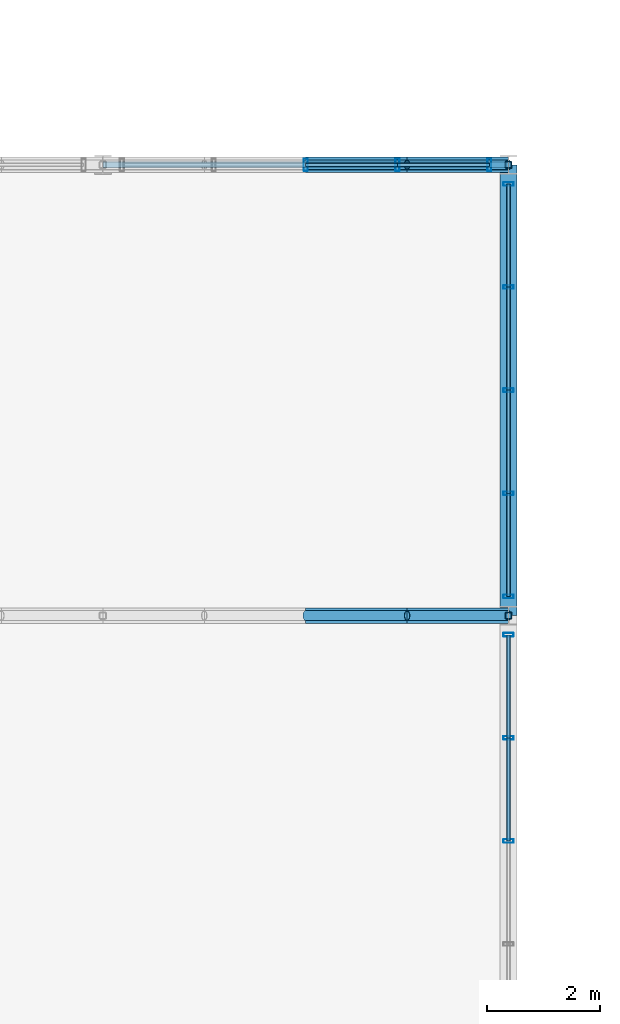
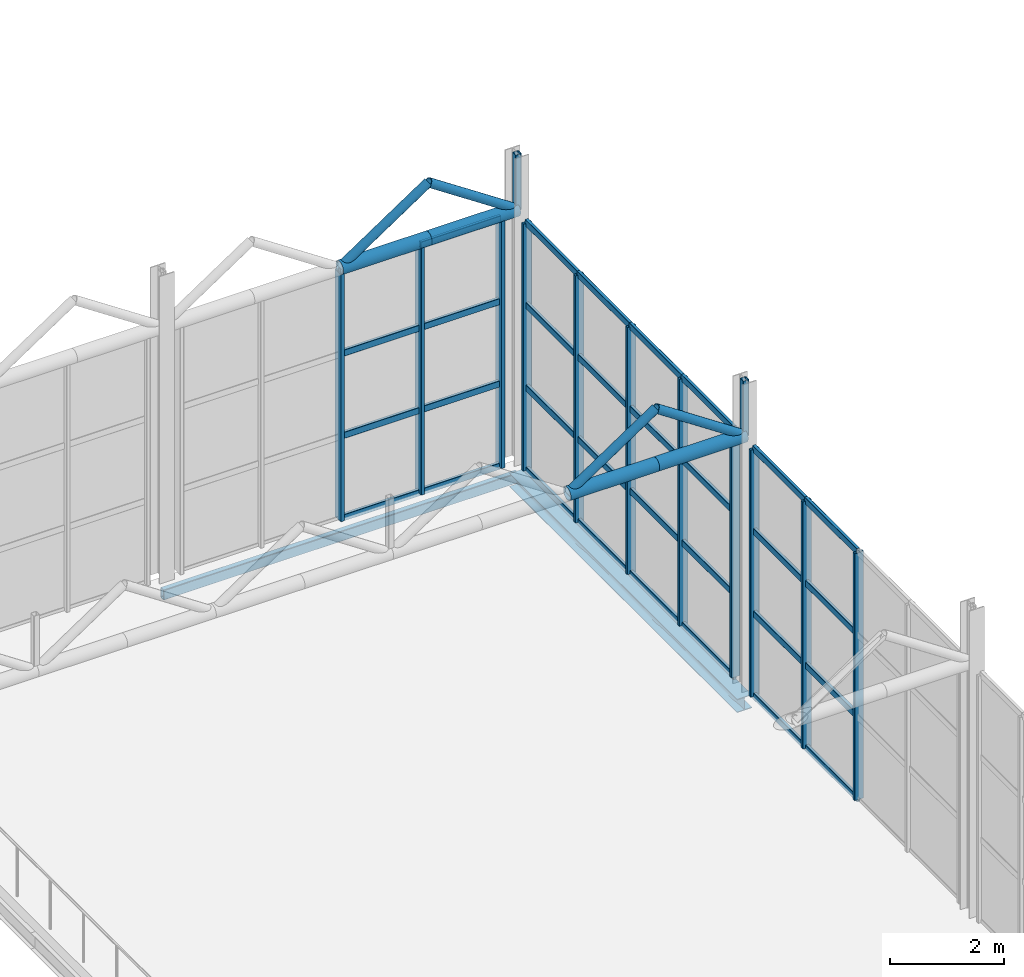
# One storey, part 99 of 153: 53 members, 2 beams, 3 elements without a shape of their own.
"""IFC4 building model written with IfcOpenShell, lengths in metres."""

from ifc_helpers import new_model, si_unit, derived_unit, direction, frame, origin, origin_2d, place, context, subcontext, project, spatial, hollow_rectangle, hollow_circle, i_section, extrude, material, material_profile, profile_set, type_object, element, aggregate, save


model = new_model("IFC4")

# Units and contexts
model_context = context("Model", 3, precision=1e-05, world=origin(), true_north=direction((0.0, 1.0)))
body_context = subcontext(model_context, "Body", "Model", "MODEL_VIEW")
ifc_project = project(units=[si_unit("LENGTHUNIT", "METRE"), si_unit("AREAUNIT", "SQUARE_METRE"), si_unit("VOLUMEUNIT", "CUBIC_METRE"), si_unit("PLANEANGLEUNIT", "RADIAN"), si_unit("MASSUNIT", "GRAM", prefix="KILO"), derived_unit("THERMALTRANSMITTANCEUNIT", [(si_unit("POWERUNIT", "WATT"), 1), (si_unit("LENGTHUNIT", "METRE"), -2), (si_unit("THERMODYNAMICTEMPERATUREUNIT", "KELVIN"), -1)])], contexts=[model_context])

# Site, building, storey
site_placement = place(None, origin())
site = spatial("IfcSite", under=ifc_project, at=site_placement, CompositionType="ELEMENT")
building_placement = place(site_placement, origin())
building = spatial("IfcBuilding", under=site, at=building_placement, Name="Keldorne Ridge Multi-Sports Centre", CompositionType="ELEMENT")
storey_placement = place(building_placement, frame((0.0, 0.0, 9.60009765625)))
storey = spatial("IfcBuildingStorey", under=building, at=storey_placement, Name="L02", CompositionType="ELEMENT", Elevation=9.60009765625)

# Beams
ifc_material_1 = material(Name="Steel S355", Category="steel")
ifc_material_profile_1 = material_profile(ifc_material_1, i_section(OverallWidth=0.300048828125, OverallDepth=0.2900390625, WebThickness=0.008544921875, FlangeThickness=0.013916015625, FilletRadius=0.027099609375, at=origin_2d()), Name="HEA 300")
ifc_profile_set_1 = profile_set([ifc_material_profile_1], Name="Steel S355")
beam_type_1 = type_object("IfcBeamType", Name="BM-SP-04", PredefinedType="SPANDREL", material=ifc_profile_set_1)
beam_1_placement = place(storey_placement, frame((42.0, 106.0, -0.39013671875), z_axis=(0.0, 1.0, 0.0), x_axis=(-1.0, 0.0, 0.0)))
element("IfcBeam", 1, at=beam_1_placement, inside=storey, type_object=beam_type_1, Name="Climbing east spandrel L02.5", PredefinedType="SPANDREL", context=body_context, shape_type="SweptSolid", body=[
    extrude(i_section(OverallWidth=0.300048828125, OverallDepth=0.2900390625, WebThickness=0.008544921875, FlangeThickness=0.013916015625, FilletRadius=0.027099609375, at=origin_2d()), origin(), (0.0, 0.0, 1.0), 8.0),
])
ifc_material_profile_2 = material_profile(ifc_material_1, hollow_rectangle(XDim=0.1201171875, YDim=0.219970703125, WallThickness=0.010009765625, InnerFilletRadius=0.010009765625, OuterFilletRadius=0.02001953125, at=origin_2d()), Name="RHS 220x120x10")
ifc_profile_set_2 = profile_set([ifc_material_profile_2], Name="Steel S355")
beam_type_2 = type_object("IfcBeamType", Name="BM-SP-07", PredefinedType="SPANDREL", material=ifc_profile_set_2)
beam_2_placement = place(storey_placement, frame((34.800048828125, 114.0, -0.360107421875), z_axis=(1.0, 0.0, 0.0), x_axis=(0.0, 1.0, 0.0)))
element("IfcBeam", 2, at=beam_2_placement, inside=storey, type_object=beam_type_2, Name="Climbing spandrel L02.114.5", PredefinedType="SPANDREL", context=body_context, shape_type="SweptSolid", body=[
    extrude(hollow_rectangle(XDim=0.1201171875, YDim=0.219970703125, WallThickness=0.010009765625, InnerFilletRadius=0.010009765625, OuterFilletRadius=0.02001953125, at=origin_2d()), origin(), (0.0, 0.0, 1.0), 7.199951171875),
])

# Curtain wall, members
ifc_material_2 = material(Name="Anodized aluminium", Category="aluminium")
curtain_wall_type_1 = type_object("IfcCurtainWallType", Name="CW-CW-05", PredefinedType="NOTDEFINED", material=ifc_material_2)
curtain_wall_1_placement = place(storey_placement, origin())
curtain_wall_1 = element("IfcCurtainWall", 3, at=curtain_wall_1_placement, inside=storey, type_object=curtain_wall_type_1, Name="Climbing east courtyard glazing L02 069", PredefinedType="NOTDEFINED")
ifc_material_profile_3 = material_profile(ifc_material_2, hollow_rectangle(XDim=0.06494140625, YDim=0.179931640625, WallThickness=0.00439453125, InnerFilletRadius=0.00439453125, OuterFilletRadius=0.009033203125, at=origin_2d()), Name="ALU MULLION 180x65x4.5")
ifc_profile_set_3 = profile_set([ifc_material_profile_3], Name="Anodized aluminium")
member_type_1 = type_object("IfcMemberType", Name="MEM-ML-01", PredefinedType="MULLION", material=ifc_profile_set_3)
member_1_placement = place(storey_placement, frame((42.0, 102.0, 0.0), z_axis=(0.0, 0.0, 1.0), x_axis=(0.0, 1.0, 0.0)))
member_1 = element("IfcMember", 4, at=member_1_placement, type_object=member_type_1, Name="CW-069 vertical mullion 3", PredefinedType="MULLION", context=body_context, shape_type="SweptSolid", body=[
    extrude(hollow_rectangle(XDim=0.06494140625, YDim=0.179931640625, WallThickness=0.00439453125, InnerFilletRadius=0.00439453125, OuterFilletRadius=0.009033203125, at=origin_2d()), origin(), (0.0, 0.0, 1.0), 5.2998046875),
])
member_2_placement = place(storey_placement, frame((42.0, 103.830078125, 0.0), z_axis=(0.0, 0.0, 1.0), x_axis=(0.0, 1.0, 0.0)))
member_2 = element("IfcMember", 5, at=member_2_placement, type_object=member_type_1, Name="CW-069 vertical mullion 4", PredefinedType="MULLION", context=body_context, shape_type="SweptSolid", body=[
    extrude(hollow_rectangle(XDim=0.06494140625, YDim=0.179931640625, WallThickness=0.00439453125, InnerFilletRadius=0.00439453125, OuterFilletRadius=0.009033203125, at=origin_2d()), origin(), (0.0, 0.0, 1.0), 5.2998046875),
])
member_3_placement = place(storey_placement, frame((42.0, 105.659912109375, 0.0), z_axis=(0.0, 0.0, 1.0), x_axis=(0.0, 1.0, 0.0)))
member_3 = element("IfcMember", 6, at=member_3_placement, type_object=member_type_1, Name="CW-069 vertical mullion 5", PredefinedType="MULLION", context=body_context, shape_type="SweptSolid", body=[
    extrude(hollow_rectangle(XDim=0.06494140625, YDim=0.179931640625, WallThickness=0.00439453125, InnerFilletRadius=0.00439453125, OuterFilletRadius=0.009033203125, at=origin_2d()), origin(), (0.0, 0.0, 1.0), 5.2998046875),
])

curtain_wall_type_2 = type_object("IfcCurtainWallType", Name="CW-CW-08", PredefinedType="NOTDEFINED", material=ifc_material_2)
curtain_wall_2_placement = place(storey_placement, origin())
curtain_wall_2 = element("IfcCurtainWall", 7, at=curtain_wall_2_placement, inside=storey, type_object=curtain_wall_type_2, Name="Climbing east courtyard glazing L02 072", PredefinedType="NOTDEFINED")
member_4_placement = place(storey_placement, frame((42.0, 106.340087890625, 0.0), z_axis=(0.0, 0.0, 1.0), x_axis=(0.0, 1.0, 0.0)))
member_4 = element("IfcMember", 8, at=member_4_placement, type_object=member_type_1, Name="CW-072 vertical mullion 1", PredefinedType="MULLION", context=body_context, shape_type="SweptSolid", body=[
    extrude(hollow_rectangle(XDim=0.06494140625, YDim=0.179931640625, WallThickness=0.00439453125, InnerFilletRadius=0.00439453125, OuterFilletRadius=0.009033203125, at=origin_2d()), origin(), (0.0, 0.0, 1.0), 5.2998046875),
])
member_5_placement = place(storey_placement, frame((42.0, 108.169921875, 0.0), z_axis=(0.0, 0.0, 1.0), x_axis=(0.0, 1.0, 0.0)))
member_5 = element("IfcMember", 9, at=member_5_placement, type_object=member_type_1, Name="CW-072 vertical mullion 2", PredefinedType="MULLION", context=body_context, shape_type="SweptSolid", body=[
    extrude(hollow_rectangle(XDim=0.06494140625, YDim=0.179931640625, WallThickness=0.00439453125, InnerFilletRadius=0.00439453125, OuterFilletRadius=0.009033203125, at=origin_2d()), origin(), (0.0, 0.0, 1.0), 5.2998046875),
])
member_6_placement = place(storey_placement, frame((42.0, 110.0, 0.0), z_axis=(0.0, 0.0, 1.0), x_axis=(0.0, 1.0, 0.0)))
member_6 = element("IfcMember", 10, at=member_6_placement, type_object=member_type_1, Name="CW-072 vertical mullion 3", PredefinedType="MULLION", context=body_context, shape_type="SweptSolid", body=[
    extrude(hollow_rectangle(XDim=0.06494140625, YDim=0.179931640625, WallThickness=0.00439453125, InnerFilletRadius=0.00439453125, OuterFilletRadius=0.009033203125, at=origin_2d()), origin(), (0.0, 0.0, 1.0), 5.2998046875),
])
member_7_placement = place(storey_placement, frame((42.0, 111.830078125, 0.0), z_axis=(0.0, 0.0, 1.0), x_axis=(0.0, 1.0, 0.0)))
member_7 = element("IfcMember", 11, at=member_7_placement, type_object=member_type_1, Name="CW-072 vertical mullion 4", PredefinedType="MULLION", context=body_context, shape_type="SweptSolid", body=[
    extrude(hollow_rectangle(XDim=0.06494140625, YDim=0.179931640625, WallThickness=0.00439453125, InnerFilletRadius=0.00439453125, OuterFilletRadius=0.009033203125, at=origin_2d()), origin(), (0.0, 0.0, 1.0), 5.2998046875),
])
member_8_placement = place(storey_placement, frame((42.0, 113.659912109375, 0.0), z_axis=(0.0, 0.0, 1.0), x_axis=(0.0, 1.0, 0.0)))
member_8 = element("IfcMember", 12, at=member_8_placement, type_object=member_type_1, Name="CW-072 vertical mullion 5", PredefinedType="MULLION", context=body_context, shape_type="SweptSolid", body=[
    extrude(hollow_rectangle(XDim=0.06494140625, YDim=0.179931640625, WallThickness=0.00439453125, InnerFilletRadius=0.00439453125, OuterFilletRadius=0.009033203125, at=origin_2d()), origin(), (0.0, 0.0, 1.0), 5.2998046875),
])

curtain_wall_type_3 = type_object("IfcCurtainWallType", Name="CW-CW-01", PredefinedType="NOTDEFINED", material=ifc_material_2)
curtain_wall_3_placement = place(storey_placement, origin())
curtain_wall_3 = element("IfcCurtainWall", 13, at=curtain_wall_3_placement, inside=storey, type_object=curtain_wall_type_3, Name="Climbing north glazing L02 057", PredefinedType="NOTDEFINED")
ifc_material_profile_4 = material_profile(ifc_material_2, hollow_rectangle(XDim=0.074951171875, YDim=0.219970703125, WallThickness=0.0048828125, InnerFilletRadius=0.0048828125, OuterFilletRadius=0.010009765625, at=origin_2d()), Name="ALU MULLION 220x75x5")
ifc_profile_set_4 = profile_set([ifc_material_profile_4], Name="Anodized aluminium")
member_type_2 = type_object("IfcMemberType", Name="MEM-ML-02", PredefinedType="MULLION", material=ifc_profile_set_4)
member_9_placement = place(storey_placement, frame((41.659912109375, 114.0, 0.0), z_axis=(0.0, 0.0, 1.0), x_axis=(1.0, 0.0, 0.0)))
member_9 = element("IfcMember", 14, at=member_9_placement, type_object=member_type_2, Name="CW-057 vertical mullion 1", PredefinedType="MULLION", context=body_context, shape_type="SweptSolid", body=[
    extrude(hollow_rectangle(XDim=0.074951171875, YDim=0.219970703125, WallThickness=0.0048828125, InnerFilletRadius=0.0048828125, OuterFilletRadius=0.010009765625, at=origin_2d()), origin(), (0.0, 0.0, 1.0), 5.2998046875),
])
member_10_placement = place(storey_placement, frame((40.030029296875, 114.0, 0.0), z_axis=(0.0, 0.0, 1.0), x_axis=(1.0, 0.0, 0.0)))
member_10 = element("IfcMember", 15, at=member_10_placement, type_object=member_type_2, Name="CW-057 vertical mullion 2", PredefinedType="MULLION", context=body_context, shape_type="SweptSolid", body=[
    extrude(hollow_rectangle(XDim=0.074951171875, YDim=0.219970703125, WallThickness=0.0048828125, InnerFilletRadius=0.0048828125, OuterFilletRadius=0.010009765625, at=origin_2d()), origin(), (0.0, 0.0, 1.0), 5.2998046875),
])
member_11_placement = place(storey_placement, frame((38.39990234375, 114.0, 0.0), z_axis=(0.0, 0.0, 1.0), x_axis=(1.0, 0.0, 0.0)))
member_11 = element("IfcMember", 16, at=member_11_placement, type_object=member_type_2, Name="CW-057 vertical mullion 3", PredefinedType="MULLION", context=body_context, shape_type="SweptSolid", body=[
    extrude(hollow_rectangle(XDim=0.074951171875, YDim=0.219970703125, WallThickness=0.0048828125, InnerFilletRadius=0.0048828125, OuterFilletRadius=0.010009765625, at=origin_2d()), origin(), (0.0, 0.0, 1.0), 5.2998046875),
])

# Members
ifc_material_profile_5 = material_profile(ifc_material_1, hollow_circle(Radius=0.136474609375, WallThickness=0.012451171875, at=origin_2d()), Name="CHS 273x12.5")
ifc_profile_set_5 = profile_set([ifc_material_profile_5], Name="Steel S355")
member_type_3 = type_object("IfcMemberType", Name="MEM-TC-05", PredefinedType="CHORD", material=ifc_profile_set_5)
for number, where, z_axis, x_axis, name in (
    (17, (38.39990234375, 106.0, 5.3798828125), (1.0, 0.0, 0.0), (0.0, 1.0, 0.0), "Climbing sawtooth ROOF TRUSS ST-05 bottom chord 19"),
    (18, (40.199951171875, 106.0, 5.3798828125), (1.0, 0.0, 0.0), (0.0, 1.0, 0.0), "Climbing sawtooth ROOF TRUSS ST-05 bottom chord 20"),
    (19, (38.39990234375, 114.0, 5.3798828125), (1.0, 0.0, 0.0), (0.0, 1.0, 0.0), "Climbing sawtooth ROOF TRUSS ST-06 bottom chord 19"),
    (20, (40.199951171875, 114.0, 5.3798828125), (1.0, 0.0, 0.0), (0.0, 1.0, 0.0), "Climbing sawtooth ROOF TRUSS ST-06 bottom chord 20"),
):
    element("IfcMember", number, at=place(storey_placement, frame(where, z_axis=z_axis, x_axis=x_axis)), inside=storey, type_object=member_type_3, Name=name, PredefinedType="CHORD", context=body_context, shape_type="SweptSolid", body=[
        extrude(hollow_circle(Radius=0.136474609375, WallThickness=0.012451171875, at=origin_2d()), origin(), (0.0, 0.0, 1.0), 1.800048828125),
    ])
ifc_material_profile_6 = material_profile(ifc_material_1, hollow_circle(Radius=0.0888671875, WallThickness=0.010009765625, at=origin_2d()), Name="CHS 177.8x10")
ifc_profile_set_6 = profile_set([ifc_material_profile_6], Name="Steel S355")
member_type_4 = type_object("IfcMemberType", Name="MEM-TD-03", PredefinedType="BRACE", material=ifc_profile_set_6)
for number, where, z_axis, x_axis, name in (
    (21, (38.39990234375, 106.0, 5.3798828125), (0.832067655982, 0.0, 0.554674152876), (0.0, 1.0, 0.0), "Climbing sawtooth web diagonal 05.19"),
    (22, (40.199951171875, 106.0, 6.579833984375), (0.832067655982, 0.0, -0.554674152876), (0.0, 1.0, 0.0), "Climbing sawtooth web diagonal 05.20"),
    (23, (38.39990234375, 114.0, 5.3798828125), (0.832067655982, 0.0, 0.554674152876), (0.0, 1.0, 0.0), "Climbing sawtooth web diagonal 06.19"),
    (24, (40.199951171875, 114.0, 6.579833984375), (0.832067655982, 0.0, -0.554674152876), (0.0, 1.0, 0.0), "Climbing sawtooth web diagonal 06.20"),
):
    element("IfcMember", number, at=place(storey_placement, frame(where, z_axis=z_axis, x_axis=x_axis)), inside=storey, type_object=member_type_4, Name=name, PredefinedType="BRACE", context=body_context, shape_type="SweptSolid", body=[
        extrude(hollow_circle(Radius=0.0888671875, WallThickness=0.010009765625, at=origin_2d()), origin(), (0.0, 0.0, 1.0), 2.163330078125),
    ])

# Member
ifc_material_profile_7 = material_profile(ifc_material_2, hollow_rectangle(XDim=0.06494140625, YDim=0.139892578125, WallThickness=0.00439453125, InnerFilletRadius=0.00439453125, OuterFilletRadius=0.009033203125, at=origin_2d()), Name="ALU TRANSOM 140x65x4.5")
ifc_profile_set_7 = profile_set([ifc_material_profile_7], Name="Anodized aluminium")
member_type_5 = type_object("IfcMemberType", Name="MEM-TR-01", PredefinedType="USERDEFINED", material=ifc_profile_set_7)
member_12_placement = place(storey_placement, frame((41.659912109375, 114.0, 0.0), z_axis=(-1.0, 0.0, 0.0), x_axis=(0.0, -1.0, 0.0)))
member_12 = element("IfcMember", 25, at=member_12_placement, type_object=member_type_5, Name="CW-057 transom 1.1", ObjectType="TRANSOM", PredefinedType="USERDEFINED", context=body_context, shape_type="SweptSolid", body=[
    extrude(hollow_rectangle(XDim=0.06494140625, YDim=0.139892578125, WallThickness=0.00439453125, InnerFilletRadius=0.00439453125, OuterFilletRadius=0.009033203125, at=origin_2d()), origin(), (0.0, 0.0, 1.0), 1.6298828125),
])

member_13_placement = place(storey_placement, frame((41.659912109375, 114.0, 1.7666015625), z_axis=(-1.0, 0.0, 0.0), x_axis=(0.0, -1.0, 0.0)))
member_13 = element("IfcMember", 26, at=member_13_placement, type_object=member_type_5, Name="CW-057 transom 1.2", ObjectType="TRANSOM", PredefinedType="USERDEFINED", context=body_context, shape_type="SweptSolid", body=[
    extrude(hollow_rectangle(XDim=0.06494140625, YDim=0.139892578125, WallThickness=0.00439453125, InnerFilletRadius=0.00439453125, OuterFilletRadius=0.009033203125, at=origin_2d()), origin(), (0.0, 0.0, 1.0), 1.6298828125),
])

member_14_placement = place(storey_placement, frame((41.659912109375, 114.0, 3.533203125), z_axis=(-1.0, 0.0, 0.0), x_axis=(0.0, -1.0, 0.0)))
member_14 = element("IfcMember", 27, at=member_14_placement, type_object=member_type_5, Name="CW-057 transom 1.3", ObjectType="TRANSOM", PredefinedType="USERDEFINED", context=body_context, shape_type="SweptSolid", body=[
    extrude(hollow_rectangle(XDim=0.06494140625, YDim=0.139892578125, WallThickness=0.00439453125, InnerFilletRadius=0.00439453125, OuterFilletRadius=0.009033203125, at=origin_2d()), origin(), (0.0, 0.0, 1.0), 1.6298828125),
])

member_15_placement = place(storey_placement, frame((41.659912109375, 114.0, 5.2998046875), z_axis=(-1.0, 0.0, 0.0), x_axis=(0.0, -1.0, 0.0)))
member_15 = element("IfcMember", 28, at=member_15_placement, type_object=member_type_5, Name="CW-057 transom 1.4", ObjectType="TRANSOM", PredefinedType="USERDEFINED", context=body_context, shape_type="SweptSolid", body=[
    extrude(hollow_rectangle(XDim=0.06494140625, YDim=0.139892578125, WallThickness=0.00439453125, InnerFilletRadius=0.00439453125, OuterFilletRadius=0.009033203125, at=origin_2d()), origin(), (0.0, 0.0, 1.0), 1.6298828125),
])

member_16_placement = place(storey_placement, frame((40.030029296875, 114.0, 0.0), z_axis=(-1.0, 0.0, 0.0), x_axis=(0.0, -1.0, 0.0)))
member_16 = element("IfcMember", 29, at=member_16_placement, type_object=member_type_5, Name="CW-057 transom 2.1", ObjectType="TRANSOM", PredefinedType="USERDEFINED", context=body_context, shape_type="SweptSolid", body=[
    extrude(hollow_rectangle(XDim=0.06494140625, YDim=0.139892578125, WallThickness=0.00439453125, InnerFilletRadius=0.00439453125, OuterFilletRadius=0.009033203125, at=origin_2d()), origin(), (0.0, 0.0, 1.0), 1.630126953125),
])

member_17_placement = place(storey_placement, frame((40.030029296875, 114.0, 1.7666015625), z_axis=(-1.0, 0.0, 0.0), x_axis=(0.0, -1.0, 0.0)))
member_17 = element("IfcMember", 30, at=member_17_placement, type_object=member_type_5, Name="CW-057 transom 2.2", ObjectType="TRANSOM", PredefinedType="USERDEFINED", context=body_context, shape_type="SweptSolid", body=[
    extrude(hollow_rectangle(XDim=0.06494140625, YDim=0.139892578125, WallThickness=0.00439453125, InnerFilletRadius=0.00439453125, OuterFilletRadius=0.009033203125, at=origin_2d()), origin(), (0.0, 0.0, 1.0), 1.630126953125),
])

member_18_placement = place(storey_placement, frame((40.030029296875, 114.0, 3.533203125), z_axis=(-1.0, 0.0, 0.0), x_axis=(0.0, -1.0, 0.0)))
member_18 = element("IfcMember", 31, at=member_18_placement, type_object=member_type_5, Name="CW-057 transom 2.3", ObjectType="TRANSOM", PredefinedType="USERDEFINED", context=body_context, shape_type="SweptSolid", body=[
    extrude(hollow_rectangle(XDim=0.06494140625, YDim=0.139892578125, WallThickness=0.00439453125, InnerFilletRadius=0.00439453125, OuterFilletRadius=0.009033203125, at=origin_2d()), origin(), (0.0, 0.0, 1.0), 1.630126953125),
])

member_19_placement = place(storey_placement, frame((40.030029296875, 114.0, 5.2998046875), z_axis=(-1.0, 0.0, 0.0), x_axis=(0.0, -1.0, 0.0)))
member_19 = element("IfcMember", 32, at=member_19_placement, type_object=member_type_5, Name="CW-057 transom 2.4", ObjectType="TRANSOM", PredefinedType="USERDEFINED", context=body_context, shape_type="SweptSolid", body=[
    extrude(hollow_rectangle(XDim=0.06494140625, YDim=0.139892578125, WallThickness=0.00439453125, InnerFilletRadius=0.00439453125, OuterFilletRadius=0.009033203125, at=origin_2d()), origin(), (0.0, 0.0, 1.0), 1.630126953125),
])

aggregate(curtain_wall_3, [member_9, member_10, member_11, member_12, member_13, member_14, member_15, member_16, member_17, member_18, member_19])

member_20_placement = place(storey_placement, frame((42.0, 102.0, 0.0), z_axis=(0.0, 1.0, 0.0), x_axis=(-1.0, 0.0, 0.0)))
member_20 = element("IfcMember", 33, at=member_20_placement, type_object=member_type_5, Name="CW-069 transom 3.1", ObjectType="TRANSOM", PredefinedType="USERDEFINED", context=body_context, shape_type="SweptSolid", body=[
    extrude(hollow_rectangle(XDim=0.06494140625, YDim=0.139892578125, WallThickness=0.00439453125, InnerFilletRadius=0.00439453125, OuterFilletRadius=0.009033203125, at=origin_2d()), origin(), (0.0, 0.0, 1.0), 1.830078125),
])

member_21_placement = place(storey_placement, frame((42.0, 102.0, 1.7666015625), z_axis=(0.0, 1.0, 0.0), x_axis=(-1.0, 0.0, 0.0)))
member_21 = element("IfcMember", 34, at=member_21_placement, type_object=member_type_5, Name="CW-069 transom 3.2", ObjectType="TRANSOM", PredefinedType="USERDEFINED", context=body_context, shape_type="SweptSolid", body=[
    extrude(hollow_rectangle(XDim=0.06494140625, YDim=0.139892578125, WallThickness=0.00439453125, InnerFilletRadius=0.00439453125, OuterFilletRadius=0.009033203125, at=origin_2d()), origin(), (0.0, 0.0, 1.0), 1.830078125),
])

member_22_placement = place(storey_placement, frame((42.0, 102.0, 3.533203125), z_axis=(0.0, 1.0, 0.0), x_axis=(-1.0, 0.0, 0.0)))
member_22 = element("IfcMember", 35, at=member_22_placement, type_object=member_type_5, Name="CW-069 transom 3.3", ObjectType="TRANSOM", PredefinedType="USERDEFINED", context=body_context, shape_type="SweptSolid", body=[
    extrude(hollow_rectangle(XDim=0.06494140625, YDim=0.139892578125, WallThickness=0.00439453125, InnerFilletRadius=0.00439453125, OuterFilletRadius=0.009033203125, at=origin_2d()), origin(), (0.0, 0.0, 1.0), 1.830078125),
])

member_23_placement = place(storey_placement, frame((42.0, 102.0, 5.2998046875), z_axis=(0.0, 1.0, 0.0), x_axis=(-1.0, 0.0, 0.0)))
member_23 = element("IfcMember", 36, at=member_23_placement, type_object=member_type_5, Name="CW-069 transom 3.4", ObjectType="TRANSOM", PredefinedType="USERDEFINED", context=body_context, shape_type="SweptSolid", body=[
    extrude(hollow_rectangle(XDim=0.06494140625, YDim=0.139892578125, WallThickness=0.00439453125, InnerFilletRadius=0.00439453125, OuterFilletRadius=0.009033203125, at=origin_2d()), origin(), (0.0, 0.0, 1.0), 1.830078125),
])

member_24_placement = place(storey_placement, frame((42.0, 103.830078125, 0.0), z_axis=(0.0, 1.0, 0.0), x_axis=(-1.0, 0.0, 0.0)))
member_24 = element("IfcMember", 37, at=member_24_placement, type_object=member_type_5, Name="CW-069 transom 4.1", ObjectType="TRANSOM", PredefinedType="USERDEFINED", context=body_context, shape_type="SweptSolid", body=[
    extrude(hollow_rectangle(XDim=0.06494140625, YDim=0.139892578125, WallThickness=0.00439453125, InnerFilletRadius=0.00439453125, OuterFilletRadius=0.009033203125, at=origin_2d()), origin(), (0.0, 0.0, 1.0), 1.829833984375),
])

member_25_placement = place(storey_placement, frame((42.0, 103.830078125, 1.7666015625), z_axis=(0.0, 1.0, 0.0), x_axis=(-1.0, 0.0, 0.0)))
member_25 = element("IfcMember", 38, at=member_25_placement, type_object=member_type_5, Name="CW-069 transom 4.2", ObjectType="TRANSOM", PredefinedType="USERDEFINED", context=body_context, shape_type="SweptSolid", body=[
    extrude(hollow_rectangle(XDim=0.06494140625, YDim=0.139892578125, WallThickness=0.00439453125, InnerFilletRadius=0.00439453125, OuterFilletRadius=0.009033203125, at=origin_2d()), origin(), (0.0, 0.0, 1.0), 1.829833984375),
])

member_26_placement = place(storey_placement, frame((42.0, 103.830078125, 3.533203125), z_axis=(0.0, 1.0, 0.0), x_axis=(-1.0, 0.0, 0.0)))
member_26 = element("IfcMember", 39, at=member_26_placement, type_object=member_type_5, Name="CW-069 transom 4.3", ObjectType="TRANSOM", PredefinedType="USERDEFINED", context=body_context, shape_type="SweptSolid", body=[
    extrude(hollow_rectangle(XDim=0.06494140625, YDim=0.139892578125, WallThickness=0.00439453125, InnerFilletRadius=0.00439453125, OuterFilletRadius=0.009033203125, at=origin_2d()), origin(), (0.0, 0.0, 1.0), 1.829833984375),
])

member_27_placement = place(storey_placement, frame((42.0, 103.830078125, 5.2998046875), z_axis=(0.0, 1.0, 0.0), x_axis=(-1.0, 0.0, 0.0)))
member_27 = element("IfcMember", 40, at=member_27_placement, type_object=member_type_5, Name="CW-069 transom 4.4", ObjectType="TRANSOM", PredefinedType="USERDEFINED", context=body_context, shape_type="SweptSolid", body=[
    extrude(hollow_rectangle(XDim=0.06494140625, YDim=0.139892578125, WallThickness=0.00439453125, InnerFilletRadius=0.00439453125, OuterFilletRadius=0.009033203125, at=origin_2d()), origin(), (0.0, 0.0, 1.0), 1.829833984375),
])

aggregate(curtain_wall_1, [member_1, member_2, member_3, member_20, member_21, member_22, member_23, member_24, member_25, member_26, member_27])

member_28_placement = place(storey_placement, frame((42.0, 106.340087890625, 0.0), z_axis=(0.0, 1.0, 0.0), x_axis=(-1.0, 0.0, 0.0)))
member_28 = element("IfcMember", 41, at=member_28_placement, type_object=member_type_5, Name="CW-072 transom 1.1", ObjectType="TRANSOM", PredefinedType="USERDEFINED", context=body_context, shape_type="SweptSolid", body=[
    extrude(hollow_rectangle(XDim=0.06494140625, YDim=0.139892578125, WallThickness=0.00439453125, InnerFilletRadius=0.00439453125, OuterFilletRadius=0.009033203125, at=origin_2d()), origin(), (0.0, 0.0, 1.0), 1.829833984375),
])

member_29_placement = place(storey_placement, frame((42.0, 106.340087890625, 1.7666015625), z_axis=(0.0, 1.0, 0.0), x_axis=(-1.0, 0.0, 0.0)))
member_29 = element("IfcMember", 42, at=member_29_placement, type_object=member_type_5, Name="CW-072 transom 1.2", ObjectType="TRANSOM", PredefinedType="USERDEFINED", context=body_context, shape_type="SweptSolid", body=[
    extrude(hollow_rectangle(XDim=0.06494140625, YDim=0.139892578125, WallThickness=0.00439453125, InnerFilletRadius=0.00439453125, OuterFilletRadius=0.009033203125, at=origin_2d()), origin(), (0.0, 0.0, 1.0), 1.829833984375),
])

member_30_placement = place(storey_placement, frame((42.0, 106.340087890625, 3.533203125), z_axis=(0.0, 1.0, 0.0), x_axis=(-1.0, 0.0, 0.0)))
member_30 = element("IfcMember", 43, at=member_30_placement, type_object=member_type_5, Name="CW-072 transom 1.3", ObjectType="TRANSOM", PredefinedType="USERDEFINED", context=body_context, shape_type="SweptSolid", body=[
    extrude(hollow_rectangle(XDim=0.06494140625, YDim=0.139892578125, WallThickness=0.00439453125, InnerFilletRadius=0.00439453125, OuterFilletRadius=0.009033203125, at=origin_2d()), origin(), (0.0, 0.0, 1.0), 1.829833984375),
])

member_31_placement = place(storey_placement, frame((42.0, 106.340087890625, 5.2998046875), z_axis=(0.0, 1.0, 0.0), x_axis=(-1.0, 0.0, 0.0)))
member_31 = element("IfcMember", 44, at=member_31_placement, type_object=member_type_5, Name="CW-072 transom 1.4", ObjectType="TRANSOM", PredefinedType="USERDEFINED", context=body_context, shape_type="SweptSolid", body=[
    extrude(hollow_rectangle(XDim=0.06494140625, YDim=0.139892578125, WallThickness=0.00439453125, InnerFilletRadius=0.00439453125, OuterFilletRadius=0.009033203125, at=origin_2d()), origin(), (0.0, 0.0, 1.0), 1.829833984375),
])

member_32_placement = place(storey_placement, frame((42.0, 108.169921875, 0.0), z_axis=(0.0, 1.0, 0.0), x_axis=(-1.0, 0.0, 0.0)))
member_32 = element("IfcMember", 45, at=member_32_placement, type_object=member_type_5, Name="CW-072 transom 2.1", ObjectType="TRANSOM", PredefinedType="USERDEFINED", context=body_context, shape_type="SweptSolid", body=[
    extrude(hollow_rectangle(XDim=0.06494140625, YDim=0.139892578125, WallThickness=0.00439453125, InnerFilletRadius=0.00439453125, OuterFilletRadius=0.009033203125, at=origin_2d()), origin(), (0.0, 0.0, 1.0), 1.830078125),
])

member_33_placement = place(storey_placement, frame((42.0, 108.169921875, 1.7666015625), z_axis=(0.0, 1.0, 0.0), x_axis=(-1.0, 0.0, 0.0)))
member_33 = element("IfcMember", 46, at=member_33_placement, type_object=member_type_5, Name="CW-072 transom 2.2", ObjectType="TRANSOM", PredefinedType="USERDEFINED", context=body_context, shape_type="SweptSolid", body=[
    extrude(hollow_rectangle(XDim=0.06494140625, YDim=0.139892578125, WallThickness=0.00439453125, InnerFilletRadius=0.00439453125, OuterFilletRadius=0.009033203125, at=origin_2d()), origin(), (0.0, 0.0, 1.0), 1.830078125),
])

member_34_placement = place(storey_placement, frame((42.0, 108.169921875, 3.533203125), z_axis=(0.0, 1.0, 0.0), x_axis=(-1.0, 0.0, 0.0)))
member_34 = element("IfcMember", 47, at=member_34_placement, type_object=member_type_5, Name="CW-072 transom 2.3", ObjectType="TRANSOM", PredefinedType="USERDEFINED", context=body_context, shape_type="SweptSolid", body=[
    extrude(hollow_rectangle(XDim=0.06494140625, YDim=0.139892578125, WallThickness=0.00439453125, InnerFilletRadius=0.00439453125, OuterFilletRadius=0.009033203125, at=origin_2d()), origin(), (0.0, 0.0, 1.0), 1.830078125),
])

member_35_placement = place(storey_placement, frame((42.0, 108.169921875, 5.2998046875), z_axis=(0.0, 1.0, 0.0), x_axis=(-1.0, 0.0, 0.0)))
member_35 = element("IfcMember", 48, at=member_35_placement, type_object=member_type_5, Name="CW-072 transom 2.4", ObjectType="TRANSOM", PredefinedType="USERDEFINED", context=body_context, shape_type="SweptSolid", body=[
    extrude(hollow_rectangle(XDim=0.06494140625, YDim=0.139892578125, WallThickness=0.00439453125, InnerFilletRadius=0.00439453125, OuterFilletRadius=0.009033203125, at=origin_2d()), origin(), (0.0, 0.0, 1.0), 1.830078125),
])

member_36_placement = place(storey_placement, frame((42.0, 110.0, 0.0), z_axis=(0.0, 1.0, 0.0), x_axis=(-1.0, 0.0, 0.0)))
member_36 = element("IfcMember", 49, at=member_36_placement, type_object=member_type_5, Name="CW-072 transom 3.1", ObjectType="TRANSOM", PredefinedType="USERDEFINED", context=body_context, shape_type="SweptSolid", body=[
    extrude(hollow_rectangle(XDim=0.06494140625, YDim=0.139892578125, WallThickness=0.00439453125, InnerFilletRadius=0.00439453125, OuterFilletRadius=0.009033203125, at=origin_2d()), origin(), (0.0, 0.0, 1.0), 1.830078125),
])

member_37_placement = place(storey_placement, frame((42.0, 110.0, 1.7666015625), z_axis=(0.0, 1.0, 0.0), x_axis=(-1.0, 0.0, 0.0)))
member_37 = element("IfcMember", 50, at=member_37_placement, type_object=member_type_5, Name="CW-072 transom 3.2", ObjectType="TRANSOM", PredefinedType="USERDEFINED", context=body_context, shape_type="SweptSolid", body=[
    extrude(hollow_rectangle(XDim=0.06494140625, YDim=0.139892578125, WallThickness=0.00439453125, InnerFilletRadius=0.00439453125, OuterFilletRadius=0.009033203125, at=origin_2d()), origin(), (0.0, 0.0, 1.0), 1.830078125),
])

member_38_placement = place(storey_placement, frame((42.0, 110.0, 3.533203125), z_axis=(0.0, 1.0, 0.0), x_axis=(-1.0, 0.0, 0.0)))
member_38 = element("IfcMember", 51, at=member_38_placement, type_object=member_type_5, Name="CW-072 transom 3.3", ObjectType="TRANSOM", PredefinedType="USERDEFINED", context=body_context, shape_type="SweptSolid", body=[
    extrude(hollow_rectangle(XDim=0.06494140625, YDim=0.139892578125, WallThickness=0.00439453125, InnerFilletRadius=0.00439453125, OuterFilletRadius=0.009033203125, at=origin_2d()), origin(), (0.0, 0.0, 1.0), 1.830078125),
])

member_39_placement = place(storey_placement, frame((42.0, 110.0, 5.2998046875), z_axis=(0.0, 1.0, 0.0), x_axis=(-1.0, 0.0, 0.0)))
member_39 = element("IfcMember", 52, at=member_39_placement, type_object=member_type_5, Name="CW-072 transom 3.4", ObjectType="TRANSOM", PredefinedType="USERDEFINED", context=body_context, shape_type="SweptSolid", body=[
    extrude(hollow_rectangle(XDim=0.06494140625, YDim=0.139892578125, WallThickness=0.00439453125, InnerFilletRadius=0.00439453125, OuterFilletRadius=0.009033203125, at=origin_2d()), origin(), (0.0, 0.0, 1.0), 1.830078125),
])

member_40_placement = place(storey_placement, frame((42.0, 111.830078125, 0.0), z_axis=(0.0, 1.0, 0.0), x_axis=(-1.0, 0.0, 0.0)))
member_40 = element("IfcMember", 53, at=member_40_placement, type_object=member_type_5, Name="CW-072 transom 4.1", ObjectType="TRANSOM", PredefinedType="USERDEFINED", context=body_context, shape_type="SweptSolid", body=[
    extrude(hollow_rectangle(XDim=0.06494140625, YDim=0.139892578125, WallThickness=0.00439453125, InnerFilletRadius=0.00439453125, OuterFilletRadius=0.009033203125, at=origin_2d()), origin(), (0.0, 0.0, 1.0), 1.829833984375),
])

member_41_placement = place(storey_placement, frame((42.0, 111.830078125, 1.7666015625), z_axis=(0.0, 1.0, 0.0), x_axis=(-1.0, 0.0, 0.0)))
member_41 = element("IfcMember", 54, at=member_41_placement, type_object=member_type_5, Name="CW-072 transom 4.2", ObjectType="TRANSOM", PredefinedType="USERDEFINED", context=body_context, shape_type="SweptSolid", body=[
    extrude(hollow_rectangle(XDim=0.06494140625, YDim=0.139892578125, WallThickness=0.00439453125, InnerFilletRadius=0.00439453125, OuterFilletRadius=0.009033203125, at=origin_2d()), origin(), (0.0, 0.0, 1.0), 1.829833984375),
])

member_42_placement = place(storey_placement, frame((42.0, 111.830078125, 3.533203125), z_axis=(0.0, 1.0, 0.0), x_axis=(-1.0, 0.0, 0.0)))
member_42 = element("IfcMember", 55, at=member_42_placement, type_object=member_type_5, Name="CW-072 transom 4.3", ObjectType="TRANSOM", PredefinedType="USERDEFINED", context=body_context, shape_type="SweptSolid", body=[
    extrude(hollow_rectangle(XDim=0.06494140625, YDim=0.139892578125, WallThickness=0.00439453125, InnerFilletRadius=0.00439453125, OuterFilletRadius=0.009033203125, at=origin_2d()), origin(), (0.0, 0.0, 1.0), 1.829833984375),
])

member_43_placement = place(storey_placement, frame((42.0, 111.830078125, 5.2998046875), z_axis=(0.0, 1.0, 0.0), x_axis=(-1.0, 0.0, 0.0)))
member_43 = element("IfcMember", 56, at=member_43_placement, type_object=member_type_5, Name="CW-072 transom 4.4", ObjectType="TRANSOM", PredefinedType="USERDEFINED", context=body_context, shape_type="SweptSolid", body=[
    extrude(hollow_rectangle(XDim=0.06494140625, YDim=0.139892578125, WallThickness=0.00439453125, InnerFilletRadius=0.00439453125, OuterFilletRadius=0.009033203125, at=origin_2d()), origin(), (0.0, 0.0, 1.0), 1.829833984375),
])

aggregate(curtain_wall_2, [member_4, member_5, member_6, member_7, member_8, member_28, member_29, member_30, member_31, member_32, member_33, member_34, member_35, member_36, member_37, member_38, member_39, member_40, member_41, member_42, member_43])

# Members
ifc_material_profile_8 = material_profile(ifc_material_1, hollow_rectangle(XDim=0.1201171875, YDim=0.1201171875, WallThickness=0.008056640625, InnerFilletRadius=0.008056640625, OuterFilletRadius=0.01611328125, at=origin_2d()), Name="SHS 120x120x8")
ifc_profile_set_8 = profile_set([ifc_material_profile_8], Name="Steel S355")
member_type_6 = type_object("IfcMemberType", Name="MEM-TV-02", PredefinedType="STRUT", material=ifc_profile_set_8)
for number, where, z_axis, x_axis, name in (
    (57, (42.0, 106.0, 5.3798828125), (0.0, 0.0, 1.0), (1.0, 0.0, 0.0), "Climbing sawtooth vertical strut 05.6"),
    (58, (42.0, 114.0, 5.3798828125), (0.0, 0.0, 1.0), (1.0, 0.0, 0.0), "Climbing sawtooth vertical strut 06.6"),
):
    element("IfcMember", number, at=place(storey_placement, frame(where, z_axis=z_axis, x_axis=x_axis)), inside=storey, type_object=member_type_6, Name=name, PredefinedType="STRUT", context=body_context, shape_type="SweptSolid", body=[
        extrude(hollow_rectangle(XDim=0.1201171875, YDim=0.1201171875, WallThickness=0.008056640625, InnerFilletRadius=0.008056640625, OuterFilletRadius=0.01611328125, at=origin_2d()), origin(), (0.0, 0.0, 1.0), 1.199951171875),
    ])

save(model, "model.ifc")
